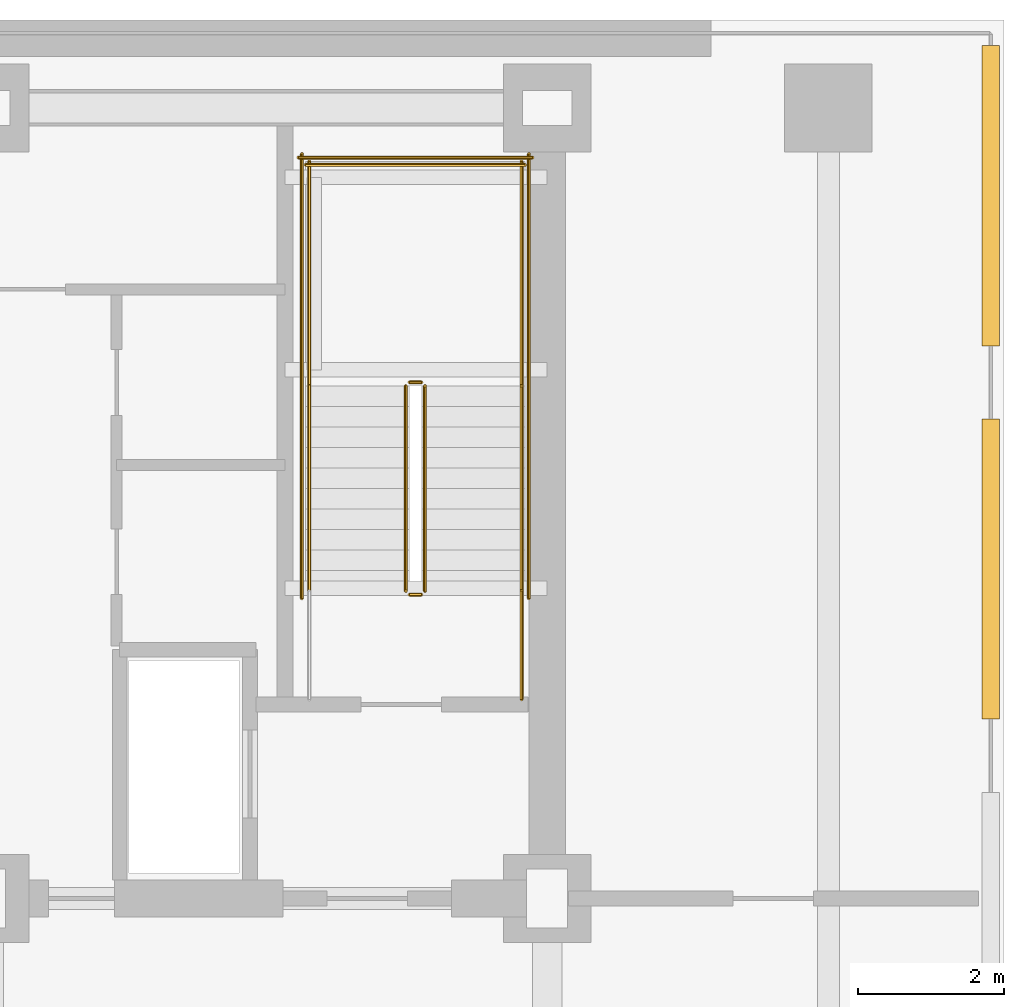
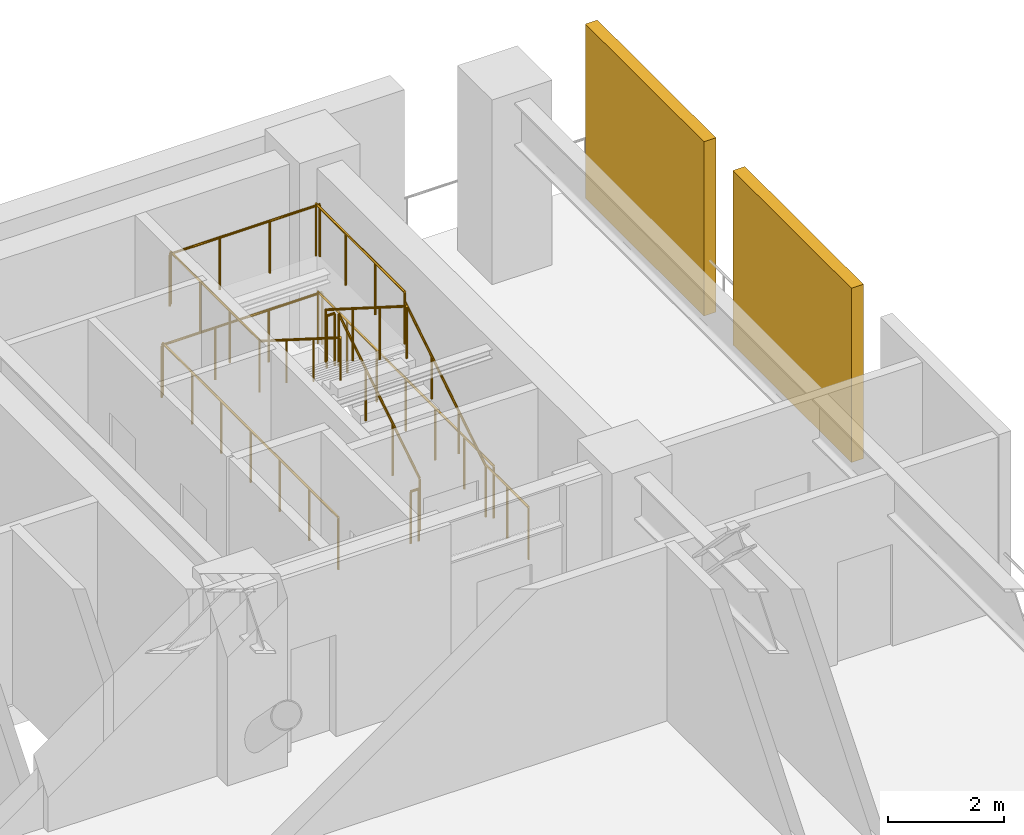
# One storey, part 8 of 8: 13 railings, 2 shading devices.
"""IFC4 building model written with IfcOpenShell, lengths in metres."""

from ifc_helpers import new_model, si_unit, direction, frame, origin, origin_2d, place, context, subcontext, project, spatial, rectangle, circle, extrude, material, layer, layer_set, type_object, element, save


model = new_model("IFC4")

# Units and contexts
model_context = context("Model", 3, precision=1e-05, world=origin(), true_north=direction((0.0, 1.0)))
body_context = subcontext(model_context, "Body", "Model", "MODEL_VIEW")
ifc_project = project(units=[si_unit("LENGTHUNIT", "METRE"), si_unit("AREAUNIT", "SQUARE_METRE"), si_unit("VOLUMEUNIT", "CUBIC_METRE"), si_unit("PLANEANGLEUNIT", "RADIAN"), si_unit("MASSUNIT", "GRAM", prefix="KILO")], contexts=[model_context])

# Site, building, storey
site_placement = place(None, origin())
site = spatial("IfcSite", under=ifc_project, at=site_placement, CompositionType="ELEMENT")
building_placement = place(site_placement, origin())
building = spatial("IfcBuilding", under=site, at=building_placement, Name="Yelkora Congress Tower", CompositionType="ELEMENT")
storey_placement = place(building_placement, frame((0.0, 0.0, 78.0)))
storey = spatial("IfcBuildingStorey", under=building, at=storey_placement, Name="L20", CompositionType="ELEMENT", Elevation=78.0)

# Railings
ifc_material_1 = material(Name="Painted galvanised steel stair well guard with vertical infill", Category="steel")
ifc_layer_1 = layer(ifc_material_1, 0.06005859375)
ifc_layer_set_1 = layer_set([ifc_layer_1], Name="Painted galvanised steel stair well guard with vertical infill")
railing_type_1 = type_object("IfcRailingType", Name="RAIL-STAIR-GUARD-1120", PredefinedType="GUARDRAIL", material=ifc_layer_set_1)
railing_1_placement = place(storey_placement, frame((52.090087890625, 39.60009765625, 0.17724609375)))
element("IfcRailing", 1, at=railing_1_placement, inside=storey, type_object=railing_type_1, Name="ST-02 L20 Stair Well Guardrail 1", PredefinedType="GUARDRAIL", context=body_context, shape_type="SweptSolid", body=[
    extrude(circle(Radius=0.02392578125, at=origin_2d()), frame((0.0, 0.0, 1.09619140625), z_axis=(0.0, 0.844887892834, 0.53494340686), x_axis=(-1.0, 0.0, 0.0)), (0.0, 0.0, 1.0), 3.313720703125),
    extrude(circle(Radius=0.02099609375, at=origin_2d()), origin(), (0.0, 0.0, 1.0), 1.072021484375),
    extrude(circle(Radius=0.02099609375, at=origin_2d()), frame((0.0, 0.933349609375, 0.5908203125)), (0.0, 0.0, 1.0), 1.072021484375),
    extrude(circle(Radius=0.02099609375, at=origin_2d()), frame((0.0, 1.866455078125, 1.181884765625)), (0.0, 0.0, 1.0), 1.072021484375),
    extrude(circle(Radius=0.02099609375, at=origin_2d()), frame((0.0, 2.7998046875, 1.772705078125)), (0.0, 0.0, 1.0), 1.072021484375),
])
railing_2_placement = place(storey_placement, frame((52.0400390625, 42.449951171875, 1.949951171875)))
element("IfcRailing", 2, at=railing_2_placement, inside=storey, type_object=railing_type_1, Name="ST-02 L20 Stair Well Guardrail 2", PredefinedType="GUARDRAIL", context=body_context, shape_type="SweptSolid", body=[
    extrude(circle(Radius=0.02392578125, at=origin_2d()), frame((0.0, 0.0, 1.09619140625), z_axis=(-1.0, 0.0, 0.0), x_axis=(0.0, -1.0, 0.0)), (0.0, 0.0, 1.0), 0.16015625),
    extrude(circle(Radius=0.02099609375, at=origin_2d()), origin(), (0.0, 0.0, 1.0), 1.072021484375),
    extrude(circle(Radius=0.02099609375, at=origin_2d()), frame((-0.16015625, 0.0, 0.0)), (0.0, 0.0, 1.0), 1.072021484375),
])
for number, where, name in (
    (3, (53.409912109375, 42.39990234375, 1.949951171875), "ST-02 L20 Stair Well Guardrail 3"),
    (4, (50.510009765625, 42.39990234375, 1.949951171875), "ST-02 L20 Stair Well Guardrail 4"),
):
    element("IfcRailing", number, at=place(storey_placement, frame(where)), inside=storey, type_object=railing_type_1, Name=name, PredefinedType="GUARDRAIL", context=body_context, shape_type="SweptSolid", body=[
        extrude(circle(Radius=0.02392578125, at=origin_2d()), frame((0.0, 0.0, 1.09619140625), z_axis=(0.0, 1.0, 0.0), x_axis=(-1.0, 0.0, 0.0)), (0.0, 0.0, 1.0), 3.070068359375),
        extrude(circle(Radius=0.02099609375, at=origin_2d()), origin(), (0.0, 0.0, 1.0), 1.072021484375),
        extrude(circle(Radius=0.02099609375, at=origin_2d()), frame((0.0, 1.0234375, 0.0)), (0.0, 0.0, 1.0), 1.072021484375),
        extrude(circle(Radius=0.02099609375, at=origin_2d()), frame((0.0, 2.046630859375, 0.0)), (0.0, 0.0, 1.0), 1.072021484375),
        extrude(circle(Radius=0.02099609375, at=origin_2d()), frame((0.0, 3.070068359375, 0.0)), (0.0, 0.0, 1.0), 1.072021484375),
    ])
railing_3_placement = place(storey_placement, frame((53.4599609375, 45.419921875, 1.949951171875)))
element("IfcRailing", 5, at=railing_3_placement, inside=storey, type_object=railing_type_1, Name="ST-02 L20 Stair Well Guardrail 5", PredefinedType="GUARDRAIL", context=body_context, shape_type="SweptSolid", body=[
    extrude(circle(Radius=0.02392578125, at=origin_2d()), frame((0.0, 0.0, 1.09619140625), z_axis=(-1.0, 0.0, 0.0), x_axis=(0.0, -1.0, 0.0)), (0.0, 0.0, 1.0), 3.0),
    extrude(circle(Radius=0.02099609375, at=origin_2d()), origin(), (0.0, 0.0, 1.0), 1.072021484375),
    extrude(circle(Radius=0.02099609375, at=origin_2d()), frame((-1.0, 0.0, 0.0)), (0.0, 0.0, 1.0), 1.072021484375),
    extrude(circle(Radius=0.02099609375, at=origin_2d()), frame((-2.0, 0.0, 0.0)), (0.0, 0.0, 1.0), 1.072021484375),
    extrude(circle(Radius=0.02099609375, at=origin_2d()), frame((-3.0, 0.0, 0.0)), (0.0, 0.0, 1.0), 1.072021484375),
])
railing_4_placement = place(storey_placement, frame((51.830078125, 42.39990234375, 2.127197265625)))
element("IfcRailing", 6, at=railing_4_placement, inside=storey, type_object=railing_type_1, Name="ST-02 L20 Stair Well Guardrail 6", PredefinedType="GUARDRAIL", context=body_context, shape_type="SweptSolid", body=[
    extrude(circle(Radius=0.02392578125, at=origin_2d()), frame((0.0, 0.0, 1.09619140625), z_axis=(0.0, -0.844887892834, 0.53494340686), x_axis=(1.0, 0.0, 0.0)), (0.0, 0.0, 1.0), 3.313720703125),
    extrude(circle(Radius=0.02099609375, at=origin_2d()), origin(), (0.0, 0.0, 1.0), 1.072021484375),
    extrude(circle(Radius=0.02099609375, at=origin_2d()), frame((0.0, -0.933349609375, 0.5908203125)), (0.0, 0.0, 1.0), 1.072021484375),
    extrude(circle(Radius=0.02099609375, at=origin_2d()), frame((0.0, -1.866455078125, 1.181884765625)), (0.0, 0.0, 1.0), 1.072021484375),
    extrude(circle(Radius=0.02099609375, at=origin_2d()), frame((0.0, -2.7998046875, 1.772705078125)), (0.0, 0.0, 1.0), 1.072021484375),
])
railing_5_placement = place(storey_placement, frame((52.0400390625, 39.550048828125, 0.0)))
element("IfcRailing", 7, at=railing_5_placement, inside=storey, type_object=railing_type_1, Name="ST-02 L20 Stair Well Guardrail 7", PredefinedType="GUARDRAIL", context=body_context, shape_type="SweptSolid", body=[
    extrude(circle(Radius=0.02392578125, at=origin_2d()), frame((0.0, 0.0, 1.09619140625), z_axis=(-1.0, 0.0, 0.0), x_axis=(0.0, -1.0, 0.0)), (0.0, 0.0, 1.0), 0.16015625),
    extrude(circle(Radius=0.02099609375, at=origin_2d()), origin(), (0.0, 0.0, 1.0), 1.072021484375),
    extrude(circle(Radius=0.02099609375, at=origin_2d()), frame((-0.16015625, 0.0, 0.0)), (0.0, 0.0, 1.0), 1.072021484375),
])
railing_6_placement = place(storey_placement, frame((53.409912109375, 38.1201171875, 0.0)))
element("IfcRailing", 8, at=railing_6_placement, inside=storey, type_object=railing_type_1, Name="ST-02 L20 Stair Well Guardrail 8", PredefinedType="GUARDRAIL", context=body_context, shape_type="SweptSolid", body=[
    extrude(circle(Radius=0.02392578125, at=origin_2d()), frame((0.0, 0.0, 1.09619140625), z_axis=(0.0, 1.0, 0.0), x_axis=(-1.0, 0.0, 0.0)), (0.0, 0.0, 1.0), 1.47998046875),
    extrude(circle(Radius=0.02099609375, at=origin_2d()), origin(), (0.0, 0.0, 1.0), 1.072021484375),
    extrude(circle(Radius=0.02099609375, at=origin_2d()), frame((0.0, 0.739990234375, 0.0)), (0.0, 0.0, 1.0), 1.072021484375),
    extrude(circle(Radius=0.02099609375, at=origin_2d()), frame((0.0, 1.47998046875, 0.0)), (0.0, 0.0, 1.0), 1.072021484375),
])
for number, where, name in (
    (9, (53.510009765625, 39.5, 0.0), "ST-02 L20 Stair Well Guardrail 10"),
    (10, (50.409912109375, 39.5, 0.0), "ST-02 L20 Stair Well Guardrail 11"),
):
    element("IfcRailing", number, at=place(storey_placement, frame(where)), inside=storey, type_object=railing_type_1, Name=name, PredefinedType="GUARDRAIL", context=body_context, shape_type="SweptSolid", body=[
        extrude(circle(Radius=0.02392578125, at=origin_2d()), frame((0.0, 0.0, 1.09619140625), z_axis=(0.0, 1.0, 0.0), x_axis=(-1.0, 0.0, 0.0)), (0.0, 0.0, 1.0), 6.070068359375),
        extrude(circle(Radius=0.02099609375, at=origin_2d()), origin(), (0.0, 0.0, 1.0), 1.072021484375),
        extrude(circle(Radius=0.02099609375, at=origin_2d()), frame((0.0, 1.01171875, 0.0)), (0.0, 0.0, 1.0), 1.072021484375),
        extrude(circle(Radius=0.02099609375, at=origin_2d()), frame((0.0, 2.0234375, 0.0)), (0.0, 0.0, 1.0), 1.072021484375),
        extrude(circle(Radius=0.02099609375, at=origin_2d()), frame((0.0, 3.03515625, 0.0)), (0.0, 0.0, 1.0), 1.072021484375),
        extrude(circle(Radius=0.02099609375, at=origin_2d()), frame((0.0, 4.046630859375, 0.0)), (0.0, 0.0, 1.0), 1.072021484375),
        extrude(circle(Radius=0.02099609375, at=origin_2d()), frame((0.0, 5.058349609375, 0.0)), (0.0, 0.0, 1.0), 1.072021484375),
        extrude(circle(Radius=0.02099609375, at=origin_2d()), frame((0.0, 6.070068359375, 0.0)), (0.0, 0.0, 1.0), 1.072021484375),
    ])
railing_7_placement = place(storey_placement, frame((53.56005859375, 45.52001953125, 0.0)))
element("IfcRailing", 11, at=railing_7_placement, inside=storey, type_object=railing_type_1, Name="ST-02 L20 Stair Well Guardrail 12", PredefinedType="GUARDRAIL", context=body_context, shape_type="SweptSolid", body=[
    extrude(circle(Radius=0.02392578125, at=origin_2d()), frame((0.0, 0.0, 1.09619140625), z_axis=(-1.0, 0.0, 0.0), x_axis=(0.0, -1.0, 0.0)), (0.0, 0.0, 1.0), 3.199951171875),
    extrude(circle(Radius=0.02099609375, at=origin_2d()), origin(), (0.0, 0.0, 1.0), 1.072021484375),
    extrude(circle(Radius=0.02099609375, at=origin_2d()), frame((-1.066650390625, 0.0, 0.0)), (0.0, 0.0, 1.0), 1.072021484375),
    extrude(circle(Radius=0.02099609375, at=origin_2d()), frame((-2.13330078125, 0.0, 0.0)), (0.0, 0.0, 1.0), 1.072021484375),
    extrude(circle(Radius=0.02099609375, at=origin_2d()), frame((-3.199951171875, 0.0, 0.0)), (0.0, 0.0, 1.0), 1.072021484375),
])
ifc_material_2 = material(Name="Brushed stainless steel tubular handrail", Category="steel")
ifc_layer_2 = layer(ifc_material_2, 0.050048828125)
ifc_layer_set_2 = layer_set([ifc_layer_2], Name="Brushed stainless steel tubular handrail")
railing_type_2 = type_object("IfcRailingType", Name="RAIL-STAIR-HAND-920", PredefinedType="HANDRAIL", material=ifc_layer_set_2)
railing_8_placement = place(storey_placement, frame((53.409912109375, 39.60009765625, 0.17724609375)))
element("IfcRailing", 12, at=railing_8_placement, inside=storey, type_object=railing_type_2, Name="ST-02 L20 Pitch Handrail 1", PredefinedType="HANDRAIL", context=body_context, shape_type="SweptSolid", body=[
    extrude(circle(Radius=0.02392578125, at=origin_2d()), frame((0.0, 0.0, 0.89599609375), z_axis=(0.0, 0.844887892834, 0.53494340686), x_axis=(-1.0, 0.0, 0.0)), (0.0, 0.0, 1.0), 3.313720703125),
    extrude(circle(Radius=0.02099609375, at=origin_2d()), origin(), (0.0, 0.0, 1.0), 0.871826171875),
    extrude(circle(Radius=0.02099609375, at=origin_2d()), frame((0.0, 0.933349609375, 0.5908203125)), (0.0, 0.0, 1.0), 0.871826171875),
    extrude(circle(Radius=0.02099609375, at=origin_2d()), frame((0.0, 1.866455078125, 1.181884765625)), (0.0, 0.0, 1.0), 0.871826171875),
    extrude(circle(Radius=0.02099609375, at=origin_2d()), frame((0.0, 2.7998046875, 1.772705078125)), (0.0, 0.0, 1.0), 0.871826171875),
])
railing_9_placement = place(storey_placement, frame((50.510009765625, 42.39990234375, 2.127197265625)))
element("IfcRailing", 13, at=railing_9_placement, inside=storey, type_object=railing_type_2, Name="ST-02 L20 Pitch Handrail 2", PredefinedType="HANDRAIL", context=body_context, shape_type="SweptSolid", body=[
    extrude(circle(Radius=0.02392578125, at=origin_2d()), frame((0.0, 0.0, 0.89599609375), z_axis=(0.0, -0.844887892834, 0.53494340686), x_axis=(1.0, 0.0, 0.0)), (0.0, 0.0, 1.0), 3.313720703125),
    extrude(circle(Radius=0.02099609375, at=origin_2d()), origin(), (0.0, 0.0, 1.0), 0.871826171875),
    extrude(circle(Radius=0.02099609375, at=origin_2d()), frame((0.0, -0.933349609375, 0.5908203125)), (0.0, 0.0, 1.0), 0.871826171875),
    extrude(circle(Radius=0.02099609375, at=origin_2d()), frame((0.0, -1.866455078125, 1.181884765625)), (0.0, 0.0, 1.0), 0.871826171875),
    extrude(circle(Radius=0.02099609375, at=origin_2d()), frame((0.0, -2.7998046875, 1.772705078125)), (0.0, 0.0, 1.0), 0.871826171875),
])

# Shading devices
ifc_material_3 = material(Name="Perforated anodised aluminium louvre", Category="aluminium")
ifc_layer_3 = layer(ifc_material_3, 3.39990234375)
ifc_layer_set_3 = layer_set([ifc_layer_3], Name="Perforated anodised aluminium louvre")
shading_device_type = type_object("IfcShadingDeviceType", Name="SHD-LOUVRE-WIND", PredefinedType="JALOUSIE", material=ifc_layer_set_3)
for number, where, z_axis, x_axis, name in (
    (14, (59.820068359375, 39.89990234375, 0.0), (0.0, 0.0, 1.0), (1.0, 0.0, 0.0), "L20 Acoustic Wind-Floor Louvre Screen E4"),
    (15, (59.820068359375, 45.0, 0.0), (0.0, 0.0, 1.0), (1.0, 0.0, 0.0), "L20 Acoustic Wind-Floor Louvre Screen E5"),
):
    element("IfcShadingDevice", number, at=place(storey_placement, frame(where, z_axis=z_axis, x_axis=x_axis)), inside=storey, type_object=shading_device_type, Name=name, PredefinedType="JALOUSIE", context=body_context, shape_type="SweptSolid", body=[
        extrude(rectangle(XDim=0.239990234375, YDim=4.10009765625, at=origin_2d()), origin(), (0.0, 0.0, 1.0), 3.679931640625),
    ])

save(model, "model.ifc")
